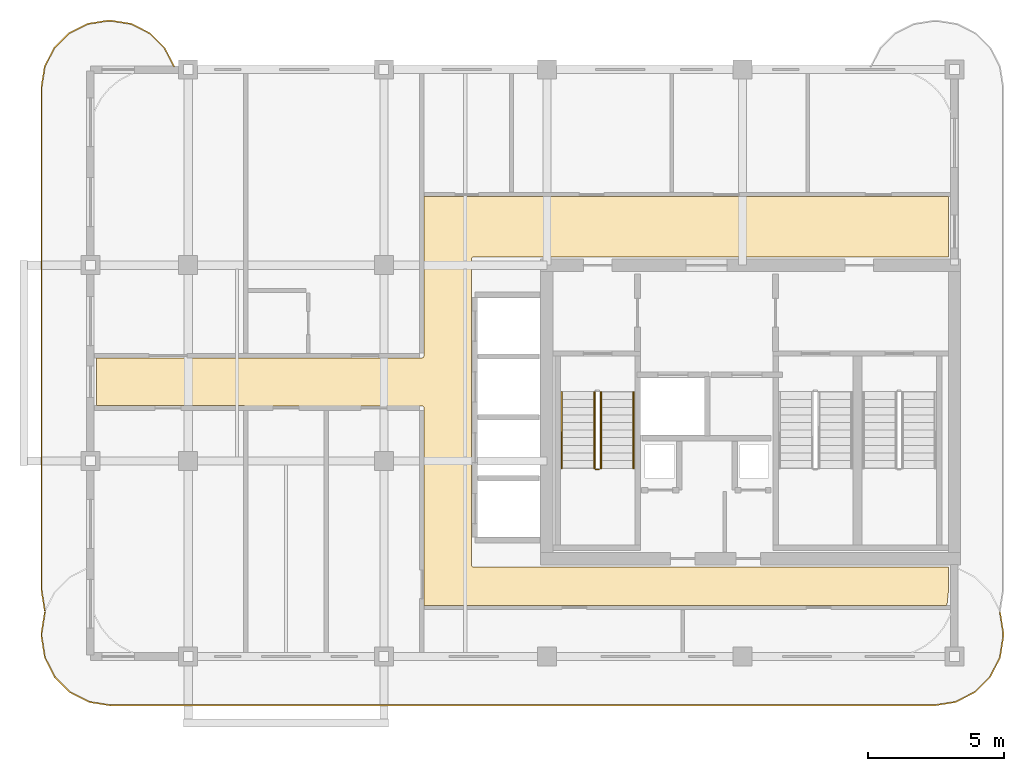
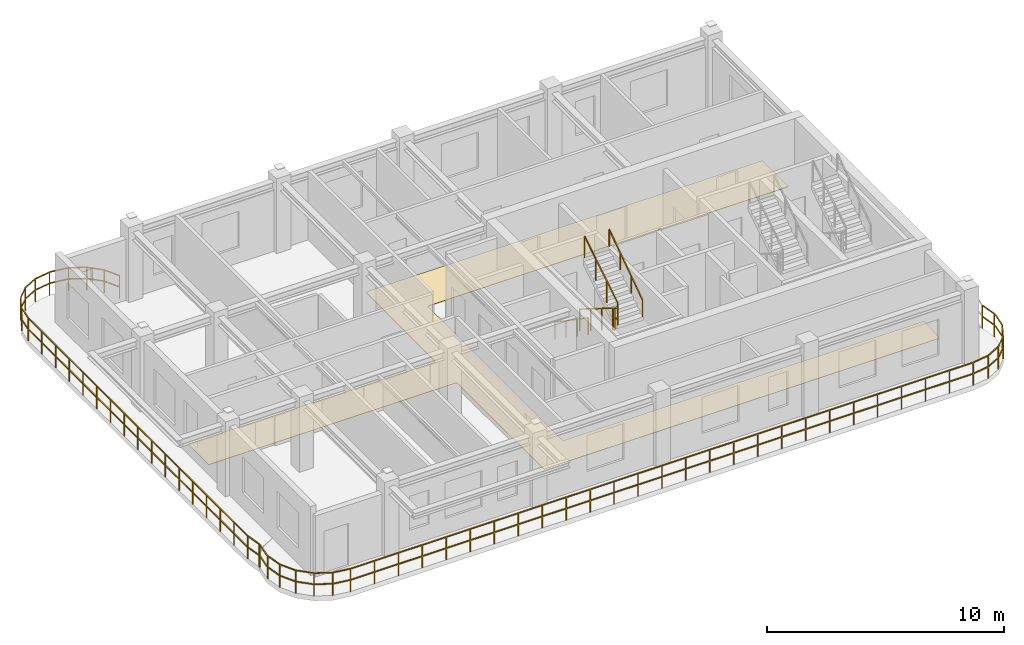
# One storey, part 6 of 7: 7 railings, 1 covering.
"""IFC4 building model written with IfcOpenShell, lengths in metres."""

from ifc_helpers import new_model, si_unit, derived_unit, direction, frame, origin, origin_2d, place, context, subcontext, project, spatial, polyline, rectangle, outline, extrude, material, layer, layer_set, type_object, element, save


model = new_model("IFC4")

# Units and contexts
model_context = context("Model", 3, precision=1e-05, world=origin(), true_north=direction((0.0, 1.0)))
body_context = subcontext(model_context, "Body", "Model", "MODEL_VIEW")
ifc_project = project(units=[si_unit("LENGTHUNIT", "METRE"), si_unit("AREAUNIT", "SQUARE_METRE"), si_unit("VOLUMEUNIT", "CUBIC_METRE"), si_unit("PLANEANGLEUNIT", "RADIAN"), si_unit("MASSUNIT", "GRAM", prefix="KILO"), si_unit("THERMODYNAMICTEMPERATUREUNIT", "KELVIN"), si_unit("POWERUNIT", "WATT"), derived_unit("THERMALTRANSMITTANCEUNIT", [(si_unit("POWERUNIT", "WATT"), 1), (si_unit("AREAUNIT", "SQUARE_METRE"), -1), (si_unit("THERMODYNAMICTEMPERATUREUNIT", "KELVIN"), -1)])], contexts=[model_context])

# Site, building, storey
site_placement = place(None, origin())
site = spatial("IfcSite", under=ifc_project, at=site_placement, CompositionType="ELEMENT")
building_placement = place(site_placement, origin())
building = spatial("IfcBuilding", under=site, at=building_placement, Name="Zahravan Archway Hotel and Residences", CompositionType="ELEMENT")
storey_placement = place(building_placement, frame((0.0, 0.0, 290.449951171875)))
storey = spatial("IfcBuildingStorey", under=building, at=storey_placement, Name="L73", CompositionType="ELEMENT", Elevation=290.449951171875)

# Covering
ifc_material_1 = material(Name="Engineered Walnut Parquet Flooring")
ifc_layer = layer(ifc_material_1, 0.02197265625, Name="Engineered Walnut Parquet Flooring")
ifc_layer_set = layer_set([ifc_layer], Name="Engineered Walnut Parquet Flooring")
covering_type = type_object("IfcCoveringType", Name="COV-FLR-TIMB", PredefinedType="FLOORING", material=ifc_layer_set)
covering_placement = place(storey_placement, origin())
element("IfcCovering", 1, at=covering_placement, inside=storey, type_object=covering_type, Name="L73 Circulation Floor Finish", PredefinedType="FLOORING", context=body_context, shape_type="SweptSolid", body=[
    extrude(outline(polyline([(30.215576171875, 10.991455078125), (30.256591796875, 11.013427734375), (30.278564453125, 11.054443359375), (30.280029296875, 16.919921875), (49.580078125, 16.919921875), (49.580078125, 14.705078125), (32.10009765625, 14.705078125), (32.0556640625, 14.69140625), (32.026123046875, 14.655517578125), (32.02001953125, 3.375), (32.033447265625, 3.33056640625), (32.0693359375, 3.301025390625), (49.580078125, 3.294921875), (49.580078125, 2.410888671875), (49.537109375, 1.974853515625), (49.50830078125, 1.8798828125), (30.280029296875, 1.8798828125), (30.280029296875, 9.14990234375), (30.2666015625, 9.1943359375), (30.230712890625, 9.223876953125), (18.219970703125, 9.22998046875), (18.219970703125, 10.989990234375), (30.199951171875, 10.989990234375), (30.215576171875, 10.991455078125)])), origin(), (0.0, 0.0, 1.0), 0.02197265625),
])

# Railings
ifc_material_2 = material(Name="Bronze & Laminated Glass Balustrade", Category="glass")
railing_type_1 = type_object("IfcRailingType", Name="RL-BAL-1200", PredefinedType="BALUSTRADE", material=ifc_material_2)
railing_1_placement = place(storey_placement, frame((51.47509765625, 1.637939453125, 0.0)))
element("IfcRailing", 2, at=railing_1_placement, inside=storey, type_object=railing_type_1, Name="L73 Balustrade RL-SLB-BAL-L73-SA-1", PredefinedType="BALUSTRADE", context=body_context, shape_type="SweptSolid", body=[
    extrude(rectangle(XDim=0.048095703125, YDim=0.048095703125, at=origin_2d()), frame((0.0, 0.0, 1.17578125), z_axis=(0.156701202656, -0.987646056584, 0.0), x_axis=(0.987646056584, 0.156701202656, 0.0)), (0.0, 0.0, 1.0), 0.797607421875),
    extrude(rectangle(XDim=0.048095703125, YDim=0.048095703125, at=origin_2d()), frame((0.0, 0.0, 0.60009765625), z_axis=(0.156701202656, -0.987646056584, 0.0), x_axis=(0.987646056584, 0.156701202656, 0.0)), (0.0, 0.0, 1.0), 0.797607421875),
    extrude(rectangle(XDim=0.048095703125, YDim=0.048095703125, at=origin_2d()), frame((0.125, -0.787841796875, 1.17578125), z_axis=(0.0, -1.0, 0.0), x_axis=(1.0, 0.0, 0.0)), (0.0, 0.0, 1.0), 0.10009765625),
    extrude(rectangle(XDim=0.048095703125, YDim=0.048095703125, at=origin_2d()), frame((0.125, -0.787841796875, 0.60009765625), z_axis=(0.0, -1.0, 0.0), x_axis=(1.0, 0.0, 0.0)), (0.0, 0.0, 1.0), 0.10009765625),
    extrude(rectangle(XDim=0.048095703125, YDim=0.048095703125, at=origin_2d()), frame((0.125, -0.887939453125, 1.17578125), z_axis=(-0.156653849773, -0.98765356849, 0.0), x_axis=(0.98765356849, -0.156653849773, 0.0)), (0.0, 0.0, 1.0), 0.7978515625),
    extrude(rectangle(XDim=0.048095703125, YDim=0.048095703125, at=origin_2d()), frame((0.125, -0.887939453125, 0.60009765625), z_axis=(-0.156653849773, -0.98765356849, 0.0), x_axis=(0.98765356849, -0.156653849773, 0.0)), (0.0, 0.0, 1.0), 0.7978515625),
    extrude(rectangle(XDim=0.048095703125, YDim=0.048095703125, at=origin_2d()), frame((0.0, -1.676025390625, 1.17578125), z_axis=(-0.453934952053, -0.891034824967, 0.0), x_axis=(0.891034824967, -0.453934952053, 0.0)), (0.0, 0.0, 1.0), 0.797607421875),
    extrude(rectangle(XDim=0.048095703125, YDim=0.048095703125, at=origin_2d()), frame((0.0, -1.676025390625, 0.60009765625), z_axis=(-0.453934952053, -0.891034824967, 0.0), x_axis=(0.891034824967, -0.453934952053, 0.0)), (0.0, 0.0, 1.0), 0.797607421875),
    extrude(rectangle(XDim=0.048095703125, YDim=0.048095703125, at=origin_2d()), frame((-0.362060546875, -2.38671875, 1.17578125), z_axis=(-0.707106781187, -0.707106781187, 0.0), x_axis=(0.707106781187, -0.707106781187, 0.0)), (0.0, 0.0, 1.0), 0.7978515625),
    extrude(rectangle(XDim=0.048095703125, YDim=0.048095703125, at=origin_2d()), frame((-0.362060546875, -2.38671875, 0.60009765625), z_axis=(-0.707106781187, -0.707106781187, 0.0), x_axis=(0.707106781187, -0.707106781187, 0.0)), (0.0, 0.0, 1.0), 0.7978515625),
    extrude(rectangle(XDim=0.048095703125, YDim=0.048095703125, at=origin_2d()), frame((-0.92626953125, -2.950927734375, 1.17578125), z_axis=(-0.890974108706, -0.454054113091, 0.0), x_axis=(0.454054113091, -0.890974108706, 0.0)), (0.0, 0.0, 1.0), 0.7978515625),
    extrude(rectangle(XDim=0.048095703125, YDim=0.048095703125, at=origin_2d()), frame((-0.92626953125, -2.950927734375, 0.60009765625), z_axis=(-0.890974108706, -0.454054113091, 0.0), x_axis=(0.454054113091, -0.890974108706, 0.0)), (0.0, 0.0, 1.0), 0.7978515625),
    extrude(rectangle(XDim=0.048095703125, YDim=0.048095703125, at=origin_2d()), frame((-1.63720703125, -3.313232421875, 1.17578125), z_axis=(-0.987693380745, -0.156402639467, 0.0), x_axis=(0.156402639467, -0.987693380745, 0.0)), (0.0, 0.0, 1.0), 0.797607421875),
    extrude(rectangle(XDim=0.048095703125, YDim=0.048095703125, at=origin_2d()), frame((-1.63720703125, -3.313232421875, 0.60009765625), z_axis=(-0.987693380745, -0.156402639467, 0.0), x_axis=(0.156402639467, -0.987693380745, 0.0)), (0.0, 0.0, 1.0), 0.797607421875),
    extrude(rectangle(XDim=0.048095703125, YDim=0.048095703125, at=origin_2d()), frame((-2.425048828125, -3.43798828125, 1.17578125), z_axis=(-1.0, 0.0, 0.0), x_axis=(0.0, -1.0, 0.0)), (0.0, 0.0, 1.0), 30.300048828125),
    extrude(rectangle(XDim=0.048095703125, YDim=0.048095703125, at=origin_2d()), frame((-2.425048828125, -3.43798828125, 0.60009765625), z_axis=(-1.0, 0.0, 0.0), x_axis=(0.0, -1.0, 0.0)), (0.0, 0.0, 1.0), 30.300048828125),
    extrude(rectangle(XDim=0.048095703125, YDim=0.048095703125, at=origin_2d()), frame((-32.72509765625, -3.43798828125, 1.17578125), z_axis=(-0.987700864412, 0.156355372278, 0.0), x_axis=(-0.156355372278, -0.987700864412, 0.0)), (0.0, 0.0, 1.0), 0.7978515625),
    extrude(rectangle(XDim=0.048095703125, YDim=0.048095703125, at=origin_2d()), frame((-32.72509765625, -3.43798828125, 0.60009765625), z_axis=(-0.987700864412, 0.156355372278, 0.0), x_axis=(-0.156355372278, -0.987700864412, 0.0)), (0.0, 0.0, 1.0), 0.7978515625),
    extrude(rectangle(XDim=0.048095703125, YDim=0.048095703125, at=origin_2d()), frame((-33.51318359375, -3.313232421875, 1.17578125), z_axis=(-0.890911003302, 0.454177921299, 0.0), x_axis=(-0.454177921299, -0.890911003302, 0.0)), (0.0, 0.0, 1.0), 0.797607421875),
    extrude(rectangle(XDim=0.048095703125, YDim=0.048095703125, at=origin_2d()), frame((-33.51318359375, -3.313232421875, 0.60009765625), z_axis=(-0.890911003302, 0.454177921299, 0.0), x_axis=(-0.454177921299, -0.890911003302, 0.0)), (0.0, 0.0, 1.0), 0.797607421875),
    extrude(rectangle(XDim=0.048095703125, YDim=0.048095703125, at=origin_2d()), frame((-34.223876953125, -2.950927734375, 1.17578125), z_axis=(-0.707106781187, 0.707106781187, 0.0), x_axis=(-0.707106781187, -0.707106781187, 0.0)), (0.0, 0.0, 1.0), 0.7978515625),
    extrude(rectangle(XDim=0.048095703125, YDim=0.048095703125, at=origin_2d()), frame((-34.223876953125, -2.950927734375, 0.60009765625), z_axis=(-0.707106781187, 0.707106781187, 0.0), x_axis=(-0.707106781187, -0.707106781187, 0.0)), (0.0, 0.0, 1.0), 0.7978515625),
    extrude(rectangle(XDim=0.048095703125, YDim=0.048095703125, at=origin_2d()), frame((-34.7880859375, -2.38671875, 1.17578125), z_axis=(-0.454177921299, 0.890911003302, 0.0), x_axis=(-0.890911003302, -0.454177921299, 0.0)), (0.0, 0.0, 1.0), 0.797607421875),
    extrude(rectangle(XDim=0.048095703125, YDim=0.048095703125, at=origin_2d()), frame((-34.7880859375, -2.38671875, 0.60009765625), z_axis=(-0.454177921299, 0.890911003302, 0.0), x_axis=(-0.890911003302, -0.454177921299, 0.0)), (0.0, 0.0, 1.0), 0.797607421875),
    extrude(rectangle(XDim=0.048095703125, YDim=0.048095703125, at=origin_2d()), frame((-35.150390625, -1.676025390625, 1.17578125), z_axis=(-0.156355372278, 0.987700864412, 0.0), x_axis=(-0.987700864412, -0.156355372278, 0.0)), (0.0, 0.0, 1.0), 0.7978515625),
    extrude(rectangle(XDim=0.048095703125, YDim=0.048095703125, at=origin_2d()), frame((-35.150390625, -1.676025390625, 0.60009765625), z_axis=(-0.156355372278, 0.987700864412, 0.0), x_axis=(-0.987700864412, -0.156355372278, 0.0)), (0.0, 0.0, 1.0), 0.7978515625),
    extrude(rectangle(XDim=0.048095703125, YDim=0.048095703125, at=origin_2d()), frame((-35.275146484375, -0.887939453125, 1.17578125), z_axis=(0.0, 1.0, 0.0), x_axis=(-1.0, 0.0, 0.0)), (0.0, 0.0, 1.0), 0.10009765625),
    extrude(rectangle(XDim=0.048095703125, YDim=0.048095703125, at=origin_2d()), frame((-35.275146484375, -0.887939453125, 0.60009765625), z_axis=(0.0, 1.0, 0.0), x_axis=(-1.0, 0.0, 0.0)), (0.0, 0.0, 1.0), 0.10009765625),
    extrude(rectangle(XDim=0.048095703125, YDim=0.048095703125, at=origin_2d()), frame((-35.275146484375, -0.787841796875, 1.17578125), z_axis=(0.156402639467, 0.987693380745, 0.0), x_axis=(-0.987693380745, 0.156402639467, 0.0)), (0.0, 0.0, 1.0), 0.797607421875),
    extrude(rectangle(XDim=0.048095703125, YDim=0.048095703125, at=origin_2d()), frame((-35.275146484375, -0.787841796875, 0.60009765625), z_axis=(0.156402639467, 0.987693380745, 0.0), x_axis=(-0.987693380745, 0.156402639467, 0.0)), (0.0, 0.0, 1.0), 0.797607421875),
    extrude(rectangle(XDim=0.0419921875, YDim=0.0419921875, at=origin_2d()), origin(), (0.0, 0.0, 1.0), 1.15185546875),
    extrude(rectangle(XDim=0.0419921875, YDim=0.0419921875, at=origin_2d()), frame((0.125, -0.787841796875, 0.0)), (0.0, 0.0, 1.0), 1.15185546875),
    extrude(rectangle(XDim=0.0419921875, YDim=0.0419921875, at=origin_2d()), frame((0.0, -1.676025390625, 0.0)), (0.0, 0.0, 1.0), 1.15185546875),
    extrude(rectangle(XDim=0.0419921875, YDim=0.0419921875, at=origin_2d()), frame((-0.362060546875, -2.38671875, 0.0)), (0.0, 0.0, 1.0), 1.15185546875),
    extrude(rectangle(XDim=0.0419921875, YDim=0.0419921875, at=origin_2d()), frame((-0.92626953125, -2.950927734375, 0.0)), (0.0, 0.0, 1.0), 1.15185546875),
    extrude(rectangle(XDim=0.0419921875, YDim=0.0419921875, at=origin_2d()), frame((-1.63720703125, -3.313232421875, 0.0)), (0.0, 0.0, 1.0), 1.15185546875),
    extrude(rectangle(XDim=0.0419921875, YDim=0.0419921875, at=origin_2d()), frame((-2.425048828125, -3.43798828125, 0.0)), (0.0, 0.0, 1.0), 1.15185546875),
    extrude(rectangle(XDim=0.0419921875, YDim=0.0419921875, at=origin_2d()), frame((-3.59033203125, -3.43798828125, 0.0)), (0.0, 0.0, 1.0), 1.15185546875),
    extrude(rectangle(XDim=0.0419921875, YDim=0.0419921875, at=origin_2d()), frame((-4.755859375, -3.43798828125, 0.0)), (0.0, 0.0, 1.0), 1.15185546875),
    extrude(rectangle(XDim=0.0419921875, YDim=0.0419921875, at=origin_2d()), frame((-5.921142578125, -3.43798828125, 0.0)), (0.0, 0.0, 1.0), 1.15185546875),
    extrude(rectangle(XDim=0.0419921875, YDim=0.0419921875, at=origin_2d()), frame((-7.086669921875, -3.43798828125, 0.0)), (0.0, 0.0, 1.0), 1.15185546875),
    extrude(rectangle(XDim=0.0419921875, YDim=0.0419921875, at=origin_2d()), frame((-8.251953125, -3.43798828125, 0.0)), (0.0, 0.0, 1.0), 1.15185546875),
    extrude(rectangle(XDim=0.0419921875, YDim=0.0419921875, at=origin_2d()), frame((-9.41748046875, -3.43798828125, 0.0)), (0.0, 0.0, 1.0), 1.15185546875),
    extrude(rectangle(XDim=0.0419921875, YDim=0.0419921875, at=origin_2d()), frame((-10.582763671875, -3.43798828125, 0.0)), (0.0, 0.0, 1.0), 1.15185546875),
    extrude(rectangle(XDim=0.0419921875, YDim=0.0419921875, at=origin_2d()), frame((-11.748046875, -3.43798828125, 0.0)), (0.0, 0.0, 1.0), 1.15185546875),
    extrude(rectangle(XDim=0.0419921875, YDim=0.0419921875, at=origin_2d()), frame((-12.91357421875, -3.43798828125, 0.0)), (0.0, 0.0, 1.0), 1.15185546875),
    extrude(rectangle(XDim=0.0419921875, YDim=0.0419921875, at=origin_2d()), frame((-14.078857421875, -3.43798828125, 0.0)), (0.0, 0.0, 1.0), 1.15185546875),
    extrude(rectangle(XDim=0.0419921875, YDim=0.0419921875, at=origin_2d()), frame((-15.244384765625, -3.43798828125, 0.0)), (0.0, 0.0, 1.0), 1.15185546875),
    extrude(rectangle(XDim=0.0419921875, YDim=0.0419921875, at=origin_2d()), frame((-16.40966796875, -3.43798828125, 0.0)), (0.0, 0.0, 1.0), 1.15185546875),
    extrude(rectangle(XDim=0.0419921875, YDim=0.0419921875, at=origin_2d()), frame((-17.5751953125, -3.43798828125, 0.0)), (0.0, 0.0, 1.0), 1.15185546875),
    extrude(rectangle(XDim=0.0419921875, YDim=0.0419921875, at=origin_2d()), frame((-18.740478515625, -3.43798828125, 0.0)), (0.0, 0.0, 1.0), 1.15185546875),
    extrude(rectangle(XDim=0.0419921875, YDim=0.0419921875, at=origin_2d()), frame((-19.90576171875, -3.43798828125, 0.0)), (0.0, 0.0, 1.0), 1.15185546875),
    extrude(rectangle(XDim=0.0419921875, YDim=0.0419921875, at=origin_2d()), frame((-21.0712890625, -3.43798828125, 0.0)), (0.0, 0.0, 1.0), 1.15185546875),
    extrude(rectangle(XDim=0.0419921875, YDim=0.0419921875, at=origin_2d()), frame((-22.236572265625, -3.43798828125, 0.0)), (0.0, 0.0, 1.0), 1.15185546875),
    extrude(rectangle(XDim=0.0419921875, YDim=0.0419921875, at=origin_2d()), frame((-23.402099609375, -3.43798828125, 0.0)), (0.0, 0.0, 1.0), 1.15185546875),
    extrude(rectangle(XDim=0.0419921875, YDim=0.0419921875, at=origin_2d()), frame((-24.5673828125, -3.43798828125, 0.0)), (0.0, 0.0, 1.0), 1.15185546875),
    extrude(rectangle(XDim=0.0419921875, YDim=0.0419921875, at=origin_2d()), frame((-25.732666015625, -3.43798828125, 0.0)), (0.0, 0.0, 1.0), 1.15185546875),
    extrude(rectangle(XDim=0.0419921875, YDim=0.0419921875, at=origin_2d()), frame((-26.898193359375, -3.43798828125, 0.0)), (0.0, 0.0, 1.0), 1.15185546875),
    extrude(rectangle(XDim=0.0419921875, YDim=0.0419921875, at=origin_2d()), frame((-28.0634765625, -3.43798828125, 0.0)), (0.0, 0.0, 1.0), 1.15185546875),
    extrude(rectangle(XDim=0.0419921875, YDim=0.0419921875, at=origin_2d()), frame((-29.22900390625, -3.43798828125, 0.0)), (0.0, 0.0, 1.0), 1.15185546875),
    extrude(rectangle(XDim=0.0419921875, YDim=0.0419921875, at=origin_2d()), frame((-30.394287109375, -3.43798828125, 0.0)), (0.0, 0.0, 1.0), 1.15185546875),
    extrude(rectangle(XDim=0.0419921875, YDim=0.0419921875, at=origin_2d()), frame((-31.559814453125, -3.43798828125, 0.0)), (0.0, 0.0, 1.0), 1.15185546875),
    extrude(rectangle(XDim=0.0419921875, YDim=0.0419921875, at=origin_2d()), frame((-32.72509765625, -3.43798828125, 0.0)), (0.0, 0.0, 1.0), 1.15185546875),
    extrude(rectangle(XDim=0.0419921875, YDim=0.0419921875, at=origin_2d()), frame((-33.51318359375, -3.313232421875, 0.0)), (0.0, 0.0, 1.0), 1.15185546875),
    extrude(rectangle(XDim=0.0419921875, YDim=0.0419921875, at=origin_2d()), frame((-34.223876953125, -2.950927734375, 0.0)), (0.0, 0.0, 1.0), 1.15185546875),
    extrude(rectangle(XDim=0.0419921875, YDim=0.0419921875, at=origin_2d()), frame((-34.7880859375, -2.38671875, 0.0)), (0.0, 0.0, 1.0), 1.15185546875),
    extrude(rectangle(XDim=0.0419921875, YDim=0.0419921875, at=origin_2d()), frame((-35.150390625, -1.676025390625, 0.0)), (0.0, 0.0, 1.0), 1.15185546875),
    extrude(rectangle(XDim=0.0419921875, YDim=0.0419921875, at=origin_2d()), frame((-35.275146484375, -0.887939453125, 0.0)), (0.0, 0.0, 1.0), 1.15185546875),
    extrude(rectangle(XDim=0.0419921875, YDim=0.0419921875, at=origin_2d()), frame((-35.150390625, 0.0, 0.0)), (0.0, 0.0, 1.0), 1.15185546875),
])
railing_2_placement = place(storey_placement, frame((16.31982421875, 1.69287109375, 0.0)))
element("IfcRailing", 3, at=railing_2_placement, inside=storey, type_object=railing_type_1, Name="L73 Balustrade RL-SLB-BAL-L73-WA-1", PredefinedType="BALUSTRADE", context=body_context, shape_type="SweptSolid", body=[
    extrude(rectangle(XDim=0.048095703125, YDim=0.048095703125, at=origin_2d()), frame((0.0, 0.0, 1.17578125), z_axis=(-0.156387811283, 0.987695728695, 0.0), x_axis=(-0.987695728695, -0.156387811283, 0.0)), (0.0, 0.0, 1.0), 0.7666015625),
    extrude(rectangle(XDim=0.048095703125, YDim=0.048095703125, at=origin_2d()), frame((0.0, 0.0, 0.60009765625), z_axis=(-0.156387811283, 0.987695728695, 0.0), x_axis=(-0.987695728695, -0.156387811283, 0.0)), (0.0, 0.0, 1.0), 0.7666015625),
    extrude(rectangle(XDim=0.048095703125, YDim=0.048095703125, at=origin_2d()), frame((-0.119873046875, 0.757080078125, 1.17578125), z_axis=(0.0, 1.0, 0.0), x_axis=(-1.0, 0.0, 0.0)), (0.0, 0.0, 1.0), 18.5),
    extrude(rectangle(XDim=0.048095703125, YDim=0.048095703125, at=origin_2d()), frame((-0.119873046875, 0.757080078125, 0.60009765625), z_axis=(0.0, 1.0, 0.0), x_axis=(-1.0, 0.0, 0.0)), (0.0, 0.0, 1.0), 18.5),
    extrude(rectangle(XDim=0.048095703125, YDim=0.048095703125, at=origin_2d()), frame((-0.119873046875, 19.257080078125, 1.17578125), z_axis=(0.156387811283, 0.987695728695, 0.0), x_axis=(-0.987695728695, 0.156387811283, 0.0)), (0.0, 0.0, 1.0), 0.7666015625),
    extrude(rectangle(XDim=0.048095703125, YDim=0.048095703125, at=origin_2d()), frame((-0.119873046875, 19.257080078125, 0.60009765625), z_axis=(0.156387811283, 0.987695728695, 0.0), x_axis=(-0.987695728695, 0.156387811283, 0.0)), (0.0, 0.0, 1.0), 0.7666015625),
    extrude(rectangle(XDim=0.048095703125, YDim=0.048095703125, at=origin_2d()), frame((0.0, 20.01416015625, 1.17578125), z_axis=(0.454078418624, 0.890961721815, 0.0), x_axis=(-0.890961721815, 0.454078418624, 0.0)), (0.0, 0.0, 1.0), 0.7666015625),
    extrude(rectangle(XDim=0.048095703125, YDim=0.048095703125, at=origin_2d()), frame((0.0, 20.01416015625, 0.60009765625), z_axis=(0.454078418624, 0.890961721815, 0.0), x_axis=(-0.890961721815, 0.454078418624, 0.0)), (0.0, 0.0, 1.0), 0.7666015625),
    extrude(rectangle(XDim=0.048095703125, YDim=0.048095703125, at=origin_2d()), frame((0.34814453125, 20.697265625, 1.17578125), z_axis=(0.707106781187, 0.707106781187, 0.0), x_axis=(-0.707106781187, 0.707106781187, 0.0)), (0.0, 0.0, 1.0), 0.7666015625),
    extrude(rectangle(XDim=0.048095703125, YDim=0.048095703125, at=origin_2d()), frame((0.34814453125, 20.697265625, 0.60009765625), z_axis=(0.707106781187, 0.707106781187, 0.0), x_axis=(-0.707106781187, 0.707106781187, 0.0)), (0.0, 0.0, 1.0), 0.7666015625),
    extrude(rectangle(XDim=0.048095703125, YDim=0.048095703125, at=origin_2d()), frame((0.89013671875, 21.2392578125, 1.17578125), z_axis=(0.891024909783, 0.453954414172, 0.0), x_axis=(-0.453954414172, 0.891024909783, 0.0)), (0.0, 0.0, 1.0), 0.766357421875),
    extrude(rectangle(XDim=0.048095703125, YDim=0.048095703125, at=origin_2d()), frame((0.89013671875, 21.2392578125, 0.60009765625), z_axis=(0.891024909783, 0.453954414172, 0.0), x_axis=(-0.453954414172, 0.891024909783, 0.0)), (0.0, 0.0, 1.0), 0.766357421875),
    extrude(rectangle(XDim=0.048095703125, YDim=0.048095703125, at=origin_2d()), frame((1.572998046875, 21.587158203125, 1.17578125), z_axis=(0.987695728695, 0.156387811283, 0.0), x_axis=(-0.156387811283, 0.987695728695, 0.0)), (0.0, 0.0, 1.0), 0.7666015625),
    extrude(rectangle(XDim=0.048095703125, YDim=0.048095703125, at=origin_2d()), frame((1.572998046875, 21.587158203125, 0.60009765625), z_axis=(0.987695728695, 0.156387811283, 0.0), x_axis=(-0.156387811283, 0.987695728695, 0.0)), (0.0, 0.0, 1.0), 0.7666015625),
    extrude(rectangle(XDim=0.048095703125, YDim=0.048095703125, at=origin_2d()), frame((2.330078125, 21.70703125, 1.17578125), z_axis=(1.0, 0.0, 0.0), x_axis=(0.0, 1.0, 0.0)), (0.0, 0.0, 1.0), 0.10009765625),
    extrude(rectangle(XDim=0.048095703125, YDim=0.048095703125, at=origin_2d()), frame((2.330078125, 21.70703125, 0.60009765625), z_axis=(1.0, 0.0, 0.0), x_axis=(0.0, 1.0, 0.0)), (0.0, 0.0, 1.0), 0.10009765625),
    extrude(rectangle(XDim=0.048095703125, YDim=0.048095703125, at=origin_2d()), frame((2.43017578125, 21.70703125, 1.17578125), z_axis=(0.987695728695, -0.156387811283, 0.0), x_axis=(0.156387811283, 0.987695728695, 0.0)), (0.0, 0.0, 1.0), 0.7666015625),
    extrude(rectangle(XDim=0.048095703125, YDim=0.048095703125, at=origin_2d()), frame((2.43017578125, 21.70703125, 0.60009765625), z_axis=(0.987695728695, -0.156387811283, 0.0), x_axis=(0.156387811283, 0.987695728695, 0.0)), (0.0, 0.0, 1.0), 0.7666015625),
    extrude(rectangle(XDim=0.048095703125, YDim=0.048095703125, at=origin_2d()), frame((3.187255859375, 21.587158203125, 1.17578125), z_axis=(0.891090529897, -0.453825591531, 0.0), x_axis=(0.453825591531, 0.891090529897, 0.0)), (0.0, 0.0, 1.0), 0.7666015625),
    extrude(rectangle(XDim=0.048095703125, YDim=0.048095703125, at=origin_2d()), frame((3.187255859375, 21.587158203125, 0.60009765625), z_axis=(0.891090529897, -0.453825591531, 0.0), x_axis=(0.453825591531, 0.891090529897, 0.0)), (0.0, 0.0, 1.0), 0.7666015625),
    extrude(rectangle(XDim=0.048095703125, YDim=0.048095703125, at=origin_2d()), frame((3.870361328125, 21.2392578125, 1.17578125), z_axis=(0.707106781187, -0.707106781187, 0.0), x_axis=(0.707106781187, 0.707106781187, 0.0)), (0.0, 0.0, 1.0), 0.7666015625),
    extrude(rectangle(XDim=0.048095703125, YDim=0.048095703125, at=origin_2d()), frame((3.870361328125, 21.2392578125, 0.60009765625), z_axis=(0.707106781187, -0.707106781187, 0.0), x_axis=(0.707106781187, 0.707106781187, 0.0)), (0.0, 0.0, 1.0), 0.7666015625),
    extrude(rectangle(XDim=0.048095703125, YDim=0.048095703125, at=origin_2d()), frame((4.412353515625, 20.697265625, 1.17578125), z_axis=(0.453825591531, -0.891090529897, 0.0), x_axis=(0.891090529897, 0.453825591531, 0.0)), (0.0, 0.0, 1.0), 0.7666015625),
    extrude(rectangle(XDim=0.048095703125, YDim=0.048095703125, at=origin_2d()), frame((4.412353515625, 20.697265625, 0.60009765625), z_axis=(0.453825591531, -0.891090529897, 0.0), x_axis=(0.891090529897, 0.453825591531, 0.0)), (0.0, 0.0, 1.0), 0.7666015625),
    extrude(rectangle(XDim=0.0419921875, YDim=0.0419921875, at=origin_2d()), origin(), (0.0, 0.0, 1.0), 1.15185546875),
    extrude(rectangle(XDim=0.0419921875, YDim=0.0419921875, at=origin_2d()), frame((-0.119873046875, 0.757080078125, 0.0)), (0.0, 0.0, 1.0), 1.15185546875),
    extrude(rectangle(XDim=0.0419921875, YDim=0.0419921875, at=origin_2d()), frame((-0.119873046875, 1.913330078125, 0.0)), (0.0, 0.0, 1.0), 1.15185546875),
    extrude(rectangle(XDim=0.0419921875, YDim=0.0419921875, at=origin_2d()), frame((-0.119873046875, 3.069580078125, 0.0)), (0.0, 0.0, 1.0), 1.15185546875),
    extrude(rectangle(XDim=0.0419921875, YDim=0.0419921875, at=origin_2d()), frame((-0.119873046875, 4.225830078125, 0.0)), (0.0, 0.0, 1.0), 1.15185546875),
    extrude(rectangle(XDim=0.0419921875, YDim=0.0419921875, at=origin_2d()), frame((-0.119873046875, 5.382080078125, 0.0)), (0.0, 0.0, 1.0), 1.15185546875),
    extrude(rectangle(XDim=0.0419921875, YDim=0.0419921875, at=origin_2d()), frame((-0.119873046875, 6.538330078125, 0.0)), (0.0, 0.0, 1.0), 1.15185546875),
    extrude(rectangle(XDim=0.0419921875, YDim=0.0419921875, at=origin_2d()), frame((-0.119873046875, 7.694580078125, 0.0)), (0.0, 0.0, 1.0), 1.15185546875),
    extrude(rectangle(XDim=0.0419921875, YDim=0.0419921875, at=origin_2d()), frame((-0.119873046875, 8.850830078125, 0.0)), (0.0, 0.0, 1.0), 1.15185546875),
    extrude(rectangle(XDim=0.0419921875, YDim=0.0419921875, at=origin_2d()), frame((-0.119873046875, 10.007080078125, 0.0)), (0.0, 0.0, 1.0), 1.15185546875),
    extrude(rectangle(XDim=0.0419921875, YDim=0.0419921875, at=origin_2d()), frame((-0.119873046875, 11.163330078125, 0.0)), (0.0, 0.0, 1.0), 1.15185546875),
    extrude(rectangle(XDim=0.0419921875, YDim=0.0419921875, at=origin_2d()), frame((-0.119873046875, 12.319580078125, 0.0)), (0.0, 0.0, 1.0), 1.15185546875),
    extrude(rectangle(XDim=0.0419921875, YDim=0.0419921875, at=origin_2d()), frame((-0.119873046875, 13.475830078125, 0.0)), (0.0, 0.0, 1.0), 1.15185546875),
    extrude(rectangle(XDim=0.0419921875, YDim=0.0419921875, at=origin_2d()), frame((-0.119873046875, 14.632080078125, 0.0)), (0.0, 0.0, 1.0), 1.15185546875),
    extrude(rectangle(XDim=0.0419921875, YDim=0.0419921875, at=origin_2d()), frame((-0.119873046875, 15.788330078125, 0.0)), (0.0, 0.0, 1.0), 1.15185546875),
    extrude(rectangle(XDim=0.0419921875, YDim=0.0419921875, at=origin_2d()), frame((-0.119873046875, 16.944580078125, 0.0)), (0.0, 0.0, 1.0), 1.15185546875),
    extrude(rectangle(XDim=0.0419921875, YDim=0.0419921875, at=origin_2d()), frame((-0.119873046875, 18.100830078125, 0.0)), (0.0, 0.0, 1.0), 1.15185546875),
    extrude(rectangle(XDim=0.0419921875, YDim=0.0419921875, at=origin_2d()), frame((-0.119873046875, 19.257080078125, 0.0)), (0.0, 0.0, 1.0), 1.15185546875),
    extrude(rectangle(XDim=0.0419921875, YDim=0.0419921875, at=origin_2d()), frame((0.0, 20.01416015625, 0.0)), (0.0, 0.0, 1.0), 1.15185546875),
    extrude(rectangle(XDim=0.0419921875, YDim=0.0419921875, at=origin_2d()), frame((0.34814453125, 20.697265625, 0.0)), (0.0, 0.0, 1.0), 1.15185546875),
    extrude(rectangle(XDim=0.0419921875, YDim=0.0419921875, at=origin_2d()), frame((0.89013671875, 21.2392578125, 0.0)), (0.0, 0.0, 1.0), 1.15185546875),
    extrude(rectangle(XDim=0.0419921875, YDim=0.0419921875, at=origin_2d()), frame((1.572998046875, 21.587158203125, 0.0)), (0.0, 0.0, 1.0), 1.15185546875),
    extrude(rectangle(XDim=0.0419921875, YDim=0.0419921875, at=origin_2d()), frame((2.330078125, 21.70703125, 0.0)), (0.0, 0.0, 1.0), 1.15185546875),
    extrude(rectangle(XDim=0.0419921875, YDim=0.0419921875, at=origin_2d()), frame((3.187255859375, 21.587158203125, 0.0)), (0.0, 0.0, 1.0), 1.15185546875),
    extrude(rectangle(XDim=0.0419921875, YDim=0.0419921875, at=origin_2d()), frame((3.870361328125, 21.2392578125, 0.0)), (0.0, 0.0, 1.0), 1.15185546875),
    extrude(rectangle(XDim=0.0419921875, YDim=0.0419921875, at=origin_2d()), frame((4.412353515625, 20.697265625, 0.0)), (0.0, 0.0, 1.0), 1.15185546875),
    extrude(rectangle(XDim=0.0419921875, YDim=0.0419921875, at=origin_2d()), frame((4.76025390625, 20.01416015625, 0.0)), (0.0, 0.0, 1.0), 1.15185546875),
])
ifc_material_3 = material(Name="Painted Tubular Steel", Category="steel")
railing_type_2 = type_object("IfcRailingType", Name="RL-STG-1150", PredefinedType="GUARDRAIL", material=ifc_material_3)
railing_3_placement = place(storey_placement, frame((36.550048828125, 9.72998046875, 0.175048828125)))
element("IfcRailing", 4, at=railing_3_placement, inside=storey, type_object=railing_type_2, Name="L73 ST-A1 stair guard 1", PredefinedType="GUARDRAIL", context=body_context, shape_type="SweptSolid", body=[
    extrude(rectangle(XDim=0.048095703125, YDim=0.048095703125, at=origin_2d()), frame((0.0, 0.0, 1.1259765625), z_axis=(0.0, -0.848002457836, 0.529992293815), x_axis=(1.0, 0.0, 0.0)), (0.0, 0.0, 1.0), 3.302001953125),
    extrude(rectangle(XDim=0.0419921875, YDim=0.0419921875, at=origin_2d()), origin(), (0.0, 0.0, 1.0), 1.101806640625),
    extrude(rectangle(XDim=0.0419921875, YDim=0.0419921875, at=origin_2d()), frame((0.0, -0.933349609375, 0.583251953125)), (0.0, 0.0, 1.0), 1.101806640625),
    extrude(rectangle(XDim=0.0419921875, YDim=0.0419921875, at=origin_2d()), frame((0.0, -1.86669921875, 1.166748046875)), (0.0, 0.0, 1.0), 1.101806640625),
    extrude(rectangle(XDim=0.0419921875, YDim=0.0419921875, at=origin_2d()), frame((0.0, -2.800048828125, 1.75)), (0.0, 0.0, 1.0), 1.101806640625),
])
railing_4_placement = place(storey_placement, frame((36.60009765625, 6.8798828125, 1.925048828125)))
element("IfcRailing", 5, at=railing_4_placement, inside=storey, type_object=railing_type_2, Name="L73 ST-A1 stair guard 2", PredefinedType="GUARDRAIL", context=body_context, shape_type="SweptSolid", body=[
    extrude(rectangle(XDim=0.048095703125, YDim=0.048095703125, at=origin_2d()), frame((0.0, 0.0, 1.1259765625), z_axis=(1.0, 0.0, 0.0), x_axis=(0.0, 1.0, 0.0)), (0.0, 0.0, 1.0), 0.139892578125),
    extrude(rectangle(XDim=0.048095703125, YDim=0.048095703125, at=origin_2d()), frame((0.0, 0.0, 0.574951171875), z_axis=(1.0, 0.0, 0.0), x_axis=(0.0, 1.0, 0.0)), (0.0, 0.0, 1.0), 0.139892578125),
    extrude(rectangle(XDim=0.0419921875, YDim=0.0419921875, at=origin_2d()), origin(), (0.0, 0.0, 1.0), 1.101806640625),
])
railing_5_placement = place(storey_placement, frame((36.7900390625, 6.929931640625, 2.10009765625)))
element("IfcRailing", 6, at=railing_5_placement, inside=storey, type_object=railing_type_2, Name="L73 ST-A1 stair guard 3", PredefinedType="GUARDRAIL", context=body_context, shape_type="SweptSolid", body=[
    extrude(rectangle(XDim=0.048095703125, YDim=0.048095703125, at=origin_2d()), frame((0.0, 0.0, 1.1259765625), z_axis=(0.0, 0.848002457836, 0.529992293815), x_axis=(-1.0, 0.0, 0.0)), (0.0, 0.0, 1.0), 3.302001953125),
    extrude(rectangle(XDim=0.0419921875, YDim=0.0419921875, at=origin_2d()), origin(), (0.0, 0.0, 1.0), 1.101806640625),
    extrude(rectangle(XDim=0.0419921875, YDim=0.0419921875, at=origin_2d()), frame((0.0, 0.933349609375, 0.583251953125)), (0.0, 0.0, 1.0), 1.101806640625),
    extrude(rectangle(XDim=0.0419921875, YDim=0.0419921875, at=origin_2d()), frame((0.0, 1.86669921875, 1.166748046875)), (0.0, 0.0, 1.0), 1.101806640625),
    extrude(rectangle(XDim=0.0419921875, YDim=0.0419921875, at=origin_2d()), frame((0.0, 2.800048828125, 1.75)), (0.0, 0.0, 1.0), 1.101806640625),
])
ifc_material_4 = material(Name="Brushed Stainless Steel", Category="steel")
railing_type_3 = type_object("IfcRailingType", Name="RL-STH-900", PredefinedType="HANDRAIL", material=ifc_material_4)
railing_6_placement = place(storey_placement, frame((35.35009765625, 9.72998046875, 0.175048828125)))
element("IfcRailing", 7, at=railing_6_placement, inside=storey, type_object=railing_type_3, Name="L73 ST-A1 stair handrail 1", PredefinedType="HANDRAIL", context=body_context, shape_type="SweptSolid", body=[
    extrude(rectangle(XDim=0.048095703125, YDim=0.048095703125, at=origin_2d()), frame((0.0, 0.0, 0.8759765625), z_axis=(0.0, -0.824039827795, 0.566531872191), x_axis=(1.0, 0.0, 0.0)), (0.0, 0.0, 1.0), 3.39794921875),
    extrude(rectangle(XDim=0.0419921875, YDim=0.0419921875, at=origin_2d()), origin(), (0.0, 0.0, 1.0), 0.851806640625),
    extrude(rectangle(XDim=0.0419921875, YDim=0.0419921875, at=origin_2d()), frame((0.0, -0.933349609375, 0.6416015625)), (0.0, 0.0, 1.0), 0.851806640625),
    extrude(rectangle(XDim=0.0419921875, YDim=0.0419921875, at=origin_2d()), frame((0.0, -1.86669921875, 1.283447265625)), (0.0, 0.0, 1.0), 0.851806640625),
    extrude(rectangle(XDim=0.0419921875, YDim=0.0419921875, at=origin_2d()), frame((0.0, -2.800048828125, 1.925048828125)), (0.0, 0.0, 1.0), 0.851806640625),
])
railing_7_placement = place(storey_placement, frame((37.989990234375, 6.929931640625, 2.10009765625)))
element("IfcRailing", 8, at=railing_7_placement, inside=storey, type_object=railing_type_3, Name="L73 ST-A1 stair handrail 2", PredefinedType="HANDRAIL", context=body_context, shape_type="SweptSolid", body=[
    extrude(rectangle(XDim=0.048095703125, YDim=0.048095703125, at=origin_2d()), frame((0.0, 0.0, 0.8759765625), z_axis=(0.0, 0.824039827795, 0.566531872191), x_axis=(-1.0, 0.0, 0.0)), (0.0, 0.0, 1.0), 3.39794921875),
    extrude(rectangle(XDim=0.0419921875, YDim=0.0419921875, at=origin_2d()), origin(), (0.0, 0.0, 1.0), 0.851806640625),
    extrude(rectangle(XDim=0.0419921875, YDim=0.0419921875, at=origin_2d()), frame((0.0, 0.933349609375, 0.6416015625)), (0.0, 0.0, 1.0), 0.851806640625),
    extrude(rectangle(XDim=0.0419921875, YDim=0.0419921875, at=origin_2d()), frame((0.0, 1.86669921875, 1.283447265625)), (0.0, 0.0, 1.0), 0.851806640625),
    extrude(rectangle(XDim=0.0419921875, YDim=0.0419921875, at=origin_2d()), frame((0.0, 2.800048828125, 1.925048828125)), (0.0, 0.0, 1.0), 0.851806640625),
])

save(model, "model.ifc")
